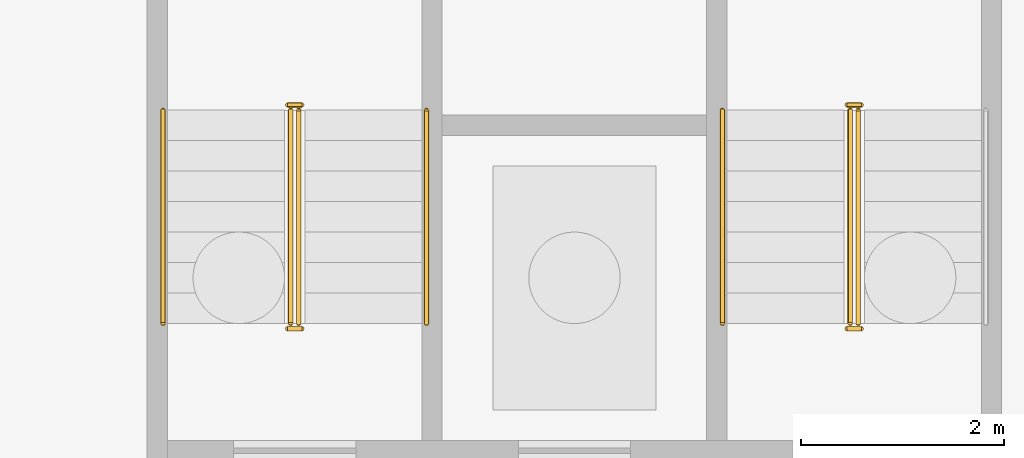
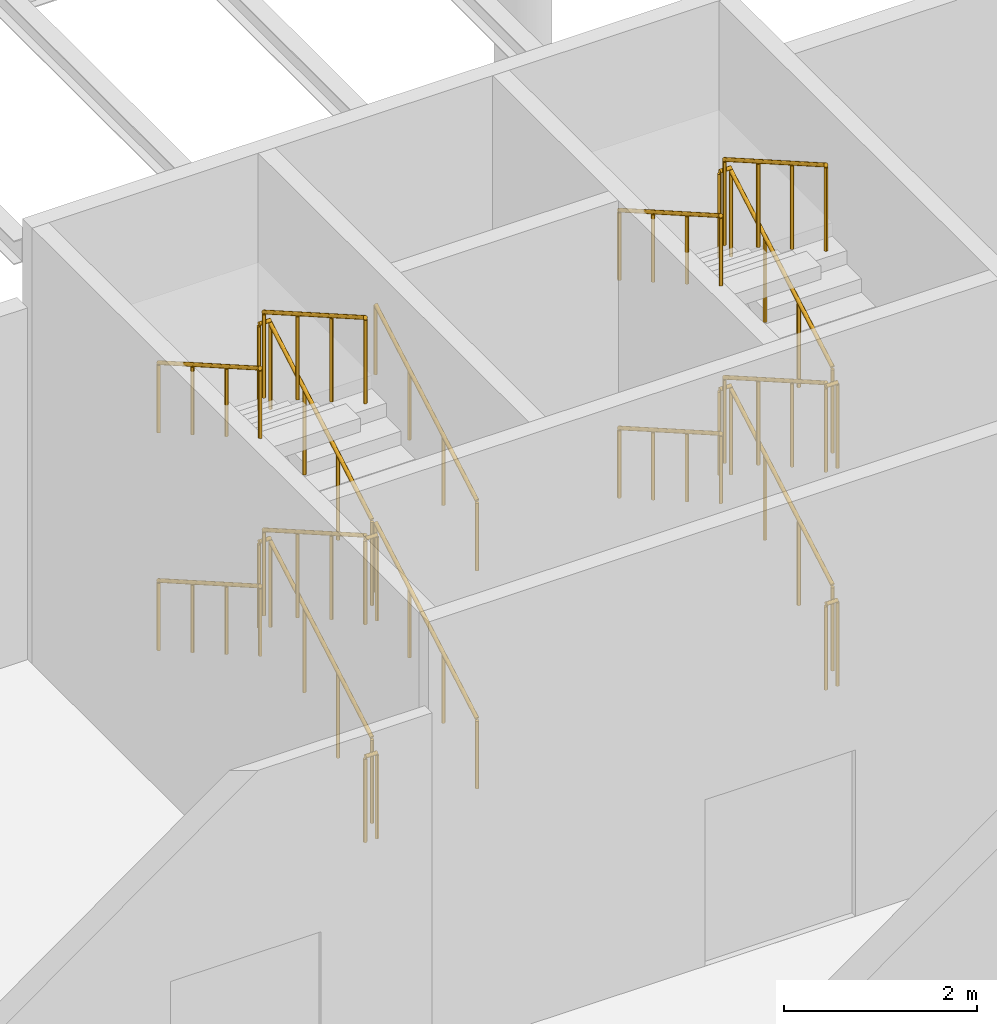
# One storey, part 57 of 82: 22 railings.
"""IFC4 building model written with IfcOpenShell, lengths in metres."""

from ifc_helpers import new_model, si_unit, direction, frame, origin, origin_2d, place, context, subcontext, project, spatial, circle, extrude, material, type_object, element, save


model = new_model("IFC4")

# Units and contexts
model_context = context("Model", 3, precision=1e-05, world=origin(), true_north=direction((0.0, 1.0)))
body_context = subcontext(model_context, "Body", "Model", "MODEL_VIEW")
ifc_project = project(units=[si_unit("LENGTHUNIT", "METRE"), si_unit("AREAUNIT", "SQUARE_METRE"), si_unit("VOLUMEUNIT", "CUBIC_METRE"), si_unit("PLANEANGLEUNIT", "RADIAN"), si_unit("MASSUNIT", "GRAM", prefix="KILO")], contexts=[model_context])

# Site, building, storey
site_placement = place(None, origin())
site = spatial("IfcSite", under=ifc_project, at=site_placement, CompositionType="ELEMENT")
building_placement = place(site_placement, origin())
building = spatial("IfcBuilding", under=site, at=building_placement, Name="Almond Square Museum", CompositionType="ELEMENT")
storey_placement = place(building_placement, origin())
storey = spatial("IfcBuildingStorey", under=building, at=storey_placement, Name="L00", CompositionType="ELEMENT", Elevation=0.0)

# Railings
ifc_material_1 = material(Name="Stainless steel and laminated glass", Category="steel")
railing_type_1 = type_object("IfcRailingType", Name="Stair guard 1100 steel and glass", PredefinedType="GUARDRAIL", material=ifc_material_1)
railing_1_placement = place(storey_placement, frame((57.889892578125, 12.14990234375, 0.171875)))
element("IfcRailing", 1, at=railing_1_placement, inside=storey, type_object=railing_type_1, Name="L00 ST-29 stair guard 1", PredefinedType="GUARDRAIL", context=body_context, shape_type="SweptSolid", body=[
    extrude(circle(Radius=0.02392578125, at=origin_2d()), frame((0.0, 0.0, 1.076171875), z_axis=(0.0, 0.867696358075, 0.497094588769), x_axis=(-1.0, 0.0, 0.0)), (0.0, 0.0, 1.0), 2.42041015625),
    extrude(circle(Radius=0.02099609375, at=origin_2d()), origin(), (0.0, 0.0, 1.0), 1.052001953125),
    extrude(circle(Radius=0.02099609375, at=origin_2d()), frame((0.0, 0.699951171875, 0.401123046875)), (0.0, 0.0, 1.0), 1.052001953125),
    extrude(circle(Radius=0.02099609375, at=origin_2d()), frame((0.0, 1.400146484375, 0.802001953125)), (0.0, 0.0, 1.0), 1.052001953125),
    extrude(circle(Radius=0.02099609375, at=origin_2d()), frame((0.0, 2.10009765625, 1.203125)), (0.0, 0.0, 1.0), 1.052001953125),
])
railing_2_placement = place(storey_placement, frame((57.919921875, 14.300048828125, 1.375)))
element("IfcRailing", 2, at=railing_2_placement, inside=storey, type_object=railing_type_1, Name="L00 ST-29 stair guard 2", PredefinedType="GUARDRAIL", context=body_context, shape_type="SweptSolid", body=[
    extrude(circle(Radius=0.02392578125, at=origin_2d()), frame((0.0, 0.0, 1.076171875), z_axis=(-1.0, 0.0, 0.0), x_axis=(0.0, -1.0, 0.0)), (0.0, 0.0, 1.0), 0.139892578125),
    extrude(circle(Radius=0.02099609375, at=origin_2d()), origin(), (0.0, 0.0, 1.0), 1.052001953125),
    extrude(circle(Radius=0.02099609375, at=origin_2d()), frame((-0.139892578125, 0.0, 0.0)), (0.0, 0.0, 1.0), 1.052001953125),
])
railing_3_placement = place(storey_placement, frame((57.81005859375, 14.25, 1.546875)))
element("IfcRailing", 3, at=railing_3_placement, inside=storey, type_object=railing_type_1, Name="L00 ST-29 stair guard 3", PredefinedType="GUARDRAIL", context=body_context, shape_type="SweptSolid", body=[
    extrude(circle(Radius=0.02392578125, at=origin_2d()), frame((0.0, 0.0, 1.076171875), z_axis=(0.0, -0.867696358075, 0.497094588769), x_axis=(1.0, 0.0, 0.0)), (0.0, 0.0, 1.0), 2.42041015625),
    extrude(circle(Radius=0.02099609375, at=origin_2d()), origin(), (0.0, 0.0, 1.0), 1.052001953125),
    extrude(circle(Radius=0.02099609375, at=origin_2d()), frame((0.0, -0.699951171875, 0.401123046875)), (0.0, 0.0, 1.0), 1.052001953125),
    extrude(circle(Radius=0.02099609375, at=origin_2d()), frame((0.0, -1.400146484375, 0.802001953125)), (0.0, 0.0, 1.0), 1.052001953125),
    extrude(circle(Radius=0.02099609375, at=origin_2d()), frame((0.0, -2.10009765625, 1.203125)), (0.0, 0.0, 1.0), 1.052001953125),
])
railing_4_placement = place(storey_placement, frame((57.919921875, 12.10009765625, 2.75)))
element("IfcRailing", 4, at=railing_4_placement, inside=storey, type_object=railing_type_1, Name="L00 ST-29 stair guard 4", PredefinedType="GUARDRAIL", context=body_context, shape_type="SweptSolid", body=[
    extrude(circle(Radius=0.02392578125, at=origin_2d()), frame((0.0, 0.0, 1.076171875), z_axis=(-1.0, 0.0, 0.0), x_axis=(0.0, -1.0, 0.0)), (0.0, 0.0, 1.0), 0.139892578125),
    extrude(circle(Radius=0.02099609375, at=origin_2d()), origin(), (0.0, 0.0, 1.0), 1.052001953125),
    extrude(circle(Radius=0.02099609375, at=origin_2d()), frame((-0.139892578125, 0.0, 0.0)), (0.0, 0.0, 1.0), 1.052001953125),
])
railing_5_placement = place(storey_placement, frame((57.889892578125, 12.14990234375, 2.921875)))
element("IfcRailing", 5, at=railing_5_placement, inside=storey, type_object=railing_type_1, Name="L00 ST-29 stair guard 5", PredefinedType="GUARDRAIL", context=body_context, shape_type="SweptSolid", body=[
    extrude(circle(Radius=0.02392578125, at=origin_2d()), frame((0.0, 0.0, 1.076171875), z_axis=(0.0, 0.867696358075, 0.497094588769), x_axis=(-1.0, 0.0, 0.0)), (0.0, 0.0, 1.0), 2.42041015625),
    extrude(circle(Radius=0.02099609375, at=origin_2d()), origin(), (0.0, 0.0, 1.0), 1.052001953125),
    extrude(circle(Radius=0.02099609375, at=origin_2d()), frame((0.0, 0.699951171875, 0.401123046875)), (0.0, 0.0, 1.0), 1.052001953125),
    extrude(circle(Radius=0.02099609375, at=origin_2d()), frame((0.0, 1.400146484375, 0.802001953125)), (0.0, 0.0, 1.0), 1.052001953125),
    extrude(circle(Radius=0.02099609375, at=origin_2d()), frame((0.0, 2.10009765625, 1.203125)), (0.0, 0.0, 1.0), 1.052001953125),
])
railing_6_placement = place(storey_placement, frame((57.919921875, 14.300048828125, 4.125)))
element("IfcRailing", 6, at=railing_6_placement, inside=storey, type_object=railing_type_1, Name="L00 ST-29 stair guard 6", PredefinedType="GUARDRAIL", context=body_context, shape_type="SweptSolid", body=[
    extrude(circle(Radius=0.02392578125, at=origin_2d()), frame((0.0, 0.0, 1.076171875), z_axis=(-1.0, 0.0, 0.0), x_axis=(0.0, -1.0, 0.0)), (0.0, 0.0, 1.0), 0.139892578125),
    extrude(circle(Radius=0.02099609375, at=origin_2d()), origin(), (0.0, 0.0, 1.0), 1.052001953125),
    extrude(circle(Radius=0.02099609375, at=origin_2d()), frame((-0.139892578125, 0.0, 0.0)), (0.0, 0.0, 1.0), 1.052001953125),
])
railing_7_placement = place(storey_placement, frame((57.81005859375, 14.25, 4.296875)))
element("IfcRailing", 7, at=railing_7_placement, inside=storey, type_object=railing_type_1, Name="L00 ST-29 stair guard 7", PredefinedType="GUARDRAIL", context=body_context, shape_type="SweptSolid", body=[
    extrude(circle(Radius=0.02392578125, at=origin_2d()), frame((0.0, 0.0, 1.076171875), z_axis=(0.0, -0.867696358075, 0.497094588769), x_axis=(1.0, 0.0, 0.0)), (0.0, 0.0, 1.0), 2.42041015625),
    extrude(circle(Radius=0.02099609375, at=origin_2d()), origin(), (0.0, 0.0, 1.0), 1.052001953125),
    extrude(circle(Radius=0.02099609375, at=origin_2d()), frame((0.0, -0.699951171875, 0.401123046875)), (0.0, 0.0, 1.0), 1.052001953125),
    extrude(circle(Radius=0.02099609375, at=origin_2d()), frame((0.0, -1.400146484375, 0.802001953125)), (0.0, 0.0, 1.0), 1.052001953125),
    extrude(circle(Radius=0.02099609375, at=origin_2d()), frame((0.0, -2.10009765625, 1.203125)), (0.0, 0.0, 1.0), 1.052001953125),
])
railing_8_placement = place(storey_placement, frame((57.919921875, 12.10009765625, 0.0)))
element("IfcRailing", 8, at=railing_8_placement, inside=storey, type_object=railing_type_1, Name="L00 ST-29 stair guard 8", PredefinedType="GUARDRAIL", context=body_context, shape_type="SweptSolid", body=[
    extrude(circle(Radius=0.02392578125, at=origin_2d()), frame((0.0, 0.0, 1.076171875), z_axis=(-1.0, 0.0, 0.0), x_axis=(0.0, -1.0, 0.0)), (0.0, 0.0, 1.0), 0.139892578125),
    extrude(circle(Radius=0.02099609375, at=origin_2d()), origin(), (0.0, 0.0, 1.0), 1.052001953125),
    extrude(circle(Radius=0.02099609375, at=origin_2d()), frame((-0.139892578125, 0.0, 0.0)), (0.0, 0.0, 1.0), 1.052001953125),
])
railing_9_placement = place(storey_placement, frame((63.389892578125, 12.14990234375, 0.171875)))
element("IfcRailing", 9, at=railing_9_placement, inside=storey, type_object=railing_type_1, Name="L00 ST-30 stair guard 1", PredefinedType="GUARDRAIL", context=body_context, shape_type="SweptSolid", body=[
    extrude(circle(Radius=0.02392578125, at=origin_2d()), frame((0.0, 0.0, 1.076171875), z_axis=(0.0, 0.867696358075, 0.497094588769), x_axis=(-1.0, 0.0, 0.0)), (0.0, 0.0, 1.0), 2.42041015625),
    extrude(circle(Radius=0.02099609375, at=origin_2d()), origin(), (0.0, 0.0, 1.0), 1.052001953125),
    extrude(circle(Radius=0.02099609375, at=origin_2d()), frame((0.0, 0.699951171875, 0.401123046875)), (0.0, 0.0, 1.0), 1.052001953125),
    extrude(circle(Radius=0.02099609375, at=origin_2d()), frame((0.0, 1.400146484375, 0.802001953125)), (0.0, 0.0, 1.0), 1.052001953125),
    extrude(circle(Radius=0.02099609375, at=origin_2d()), frame((0.0, 2.10009765625, 1.203125)), (0.0, 0.0, 1.0), 1.052001953125),
])
railing_10_placement = place(storey_placement, frame((63.419921875, 14.300048828125, 1.375)))
element("IfcRailing", 10, at=railing_10_placement, inside=storey, type_object=railing_type_1, Name="L00 ST-30 stair guard 2", PredefinedType="GUARDRAIL", context=body_context, shape_type="SweptSolid", body=[
    extrude(circle(Radius=0.02392578125, at=origin_2d()), frame((0.0, 0.0, 1.076171875), z_axis=(-1.0, 0.0, 0.0), x_axis=(0.0, -1.0, 0.0)), (0.0, 0.0, 1.0), 0.139892578125),
    extrude(circle(Radius=0.02099609375, at=origin_2d()), origin(), (0.0, 0.0, 1.0), 1.052001953125),
    extrude(circle(Radius=0.02099609375, at=origin_2d()), frame((-0.139892578125, 0.0, 0.0)), (0.0, 0.0, 1.0), 1.052001953125),
])
railing_11_placement = place(storey_placement, frame((63.31005859375, 14.25, 1.546875)))
element("IfcRailing", 11, at=railing_11_placement, inside=storey, type_object=railing_type_1, Name="L00 ST-30 stair guard 3", PredefinedType="GUARDRAIL", context=body_context, shape_type="SweptSolid", body=[
    extrude(circle(Radius=0.02392578125, at=origin_2d()), frame((0.0, 0.0, 1.076171875), z_axis=(0.0, -0.867696358075, 0.497094588769), x_axis=(1.0, 0.0, 0.0)), (0.0, 0.0, 1.0), 2.42041015625),
    extrude(circle(Radius=0.02099609375, at=origin_2d()), origin(), (0.0, 0.0, 1.0), 1.052001953125),
    extrude(circle(Radius=0.02099609375, at=origin_2d()), frame((0.0, -0.699951171875, 0.401123046875)), (0.0, 0.0, 1.0), 1.052001953125),
    extrude(circle(Radius=0.02099609375, at=origin_2d()), frame((0.0, -1.400146484375, 0.802001953125)), (0.0, 0.0, 1.0), 1.052001953125),
    extrude(circle(Radius=0.02099609375, at=origin_2d()), frame((0.0, -2.10009765625, 1.203125)), (0.0, 0.0, 1.0), 1.052001953125),
])
railing_12_placement = place(storey_placement, frame((63.419921875, 12.10009765625, 2.75)))
element("IfcRailing", 12, at=railing_12_placement, inside=storey, type_object=railing_type_1, Name="L00 ST-30 stair guard 4", PredefinedType="GUARDRAIL", context=body_context, shape_type="SweptSolid", body=[
    extrude(circle(Radius=0.02392578125, at=origin_2d()), frame((0.0, 0.0, 1.076171875), z_axis=(-1.0, 0.0, 0.0), x_axis=(0.0, -1.0, 0.0)), (0.0, 0.0, 1.0), 0.139892578125),
    extrude(circle(Radius=0.02099609375, at=origin_2d()), origin(), (0.0, 0.0, 1.0), 1.052001953125),
    extrude(circle(Radius=0.02099609375, at=origin_2d()), frame((-0.139892578125, 0.0, 0.0)), (0.0, 0.0, 1.0), 1.052001953125),
])
railing_13_placement = place(storey_placement, frame((63.389892578125, 12.14990234375, 2.921875)))
element("IfcRailing", 13, at=railing_13_placement, inside=storey, type_object=railing_type_1, Name="L00 ST-30 stair guard 5", PredefinedType="GUARDRAIL", context=body_context, shape_type="SweptSolid", body=[
    extrude(circle(Radius=0.02392578125, at=origin_2d()), frame((0.0, 0.0, 1.076171875), z_axis=(0.0, 0.867696358075, 0.497094588769), x_axis=(-1.0, 0.0, 0.0)), (0.0, 0.0, 1.0), 2.42041015625),
    extrude(circle(Radius=0.02099609375, at=origin_2d()), origin(), (0.0, 0.0, 1.0), 1.052001953125),
    extrude(circle(Radius=0.02099609375, at=origin_2d()), frame((0.0, 0.699951171875, 0.401123046875)), (0.0, 0.0, 1.0), 1.052001953125),
    extrude(circle(Radius=0.02099609375, at=origin_2d()), frame((0.0, 1.400146484375, 0.802001953125)), (0.0, 0.0, 1.0), 1.052001953125),
    extrude(circle(Radius=0.02099609375, at=origin_2d()), frame((0.0, 2.10009765625, 1.203125)), (0.0, 0.0, 1.0), 1.052001953125),
])
railing_14_placement = place(storey_placement, frame((63.419921875, 14.300048828125, 4.125)))
element("IfcRailing", 14, at=railing_14_placement, inside=storey, type_object=railing_type_1, Name="L00 ST-30 stair guard 6", PredefinedType="GUARDRAIL", context=body_context, shape_type="SweptSolid", body=[
    extrude(circle(Radius=0.02392578125, at=origin_2d()), frame((0.0, 0.0, 1.076171875), z_axis=(-1.0, 0.0, 0.0), x_axis=(0.0, -1.0, 0.0)), (0.0, 0.0, 1.0), 0.139892578125),
    extrude(circle(Radius=0.02099609375, at=origin_2d()), origin(), (0.0, 0.0, 1.0), 1.052001953125),
    extrude(circle(Radius=0.02099609375, at=origin_2d()), frame((-0.139892578125, 0.0, 0.0)), (0.0, 0.0, 1.0), 1.052001953125),
])
railing_15_placement = place(storey_placement, frame((63.31005859375, 14.25, 4.296875)))
element("IfcRailing", 15, at=railing_15_placement, inside=storey, type_object=railing_type_1, Name="L00 ST-30 stair guard 7", PredefinedType="GUARDRAIL", context=body_context, shape_type="SweptSolid", body=[
    extrude(circle(Radius=0.02392578125, at=origin_2d()), frame((0.0, 0.0, 1.076171875), z_axis=(0.0, -0.867696358075, 0.497094588769), x_axis=(1.0, 0.0, 0.0)), (0.0, 0.0, 1.0), 2.42041015625),
    extrude(circle(Radius=0.02099609375, at=origin_2d()), origin(), (0.0, 0.0, 1.0), 1.052001953125),
    extrude(circle(Radius=0.02099609375, at=origin_2d()), frame((0.0, -0.699951171875, 0.401123046875)), (0.0, 0.0, 1.0), 1.052001953125),
    extrude(circle(Radius=0.02099609375, at=origin_2d()), frame((0.0, -1.400146484375, 0.802001953125)), (0.0, 0.0, 1.0), 1.052001953125),
    extrude(circle(Radius=0.02099609375, at=origin_2d()), frame((0.0, -2.10009765625, 1.203125)), (0.0, 0.0, 1.0), 1.052001953125),
])
railing_16_placement = place(storey_placement, frame((63.419921875, 12.10009765625, 0.0)))
element("IfcRailing", 16, at=railing_16_placement, inside=storey, type_object=railing_type_1, Name="L00 ST-30 stair guard 8", PredefinedType="GUARDRAIL", context=body_context, shape_type="SweptSolid", body=[
    extrude(circle(Radius=0.02392578125, at=origin_2d()), frame((0.0, 0.0, 1.076171875), z_axis=(-1.0, 0.0, 0.0), x_axis=(0.0, -1.0, 0.0)), (0.0, 0.0, 1.0), 0.139892578125),
    extrude(circle(Radius=0.02099609375, at=origin_2d()), origin(), (0.0, 0.0, 1.0), 1.052001953125),
    extrude(circle(Radius=0.02099609375, at=origin_2d()), frame((-0.139892578125, 0.0, 0.0)), (0.0, 0.0, 1.0), 1.052001953125),
])
ifc_material_2 = material(Name="Stainless steel", Category="steel")
railing_type_2 = type_object("IfcRailingType", Name="Stair handrail 900 steel", PredefinedType="HANDRAIL", material=ifc_material_2)
railing_17_placement = place(storey_placement, frame((59.14501953125, 12.14990234375, 0.171875)))
element("IfcRailing", 17, at=railing_17_placement, inside=storey, type_object=railing_type_2, Name="L00 ST-29 stair handrail 1", PredefinedType="HANDRAIL", context=body_context, shape_type="SweptSolid", body=[
    extrude(circle(Radius=0.02392578125, at=origin_2d()), frame((0.0, 0.0, 0.8759765625), z_axis=(0.0, 0.867696358075, 0.497094588769), x_axis=(-1.0, 0.0, 0.0)), (0.0, 0.0, 1.0), 2.42041015625),
    extrude(circle(Radius=0.02099609375, at=origin_2d()), origin(), (0.0, 0.0, 1.0), 0.851806640625),
    extrude(circle(Radius=0.02099609375, at=origin_2d()), frame((0.0, 0.699951171875, 0.401123046875)), (0.0, 0.0, 1.0), 0.851806640625),
    extrude(circle(Radius=0.02099609375, at=origin_2d()), frame((0.0, 1.400146484375, 0.802001953125)), (0.0, 0.0, 1.0), 0.851806640625),
    extrude(circle(Radius=0.02099609375, at=origin_2d()), frame((0.0, 2.10009765625, 1.203125)), (0.0, 0.0, 1.0), 0.851806640625),
])
railing_18_placement = place(storey_placement, frame((56.554931640625, 14.25, 1.546875)))
element("IfcRailing", 18, at=railing_18_placement, inside=storey, type_object=railing_type_2, Name="L00 ST-29 stair handrail 2", PredefinedType="HANDRAIL", context=body_context, shape_type="SweptSolid", body=[
    extrude(circle(Radius=0.02392578125, at=origin_2d()), frame((0.0, 0.0, 0.8759765625), z_axis=(0.0, -0.867696358075, 0.497094588769), x_axis=(1.0, 0.0, 0.0)), (0.0, 0.0, 1.0), 2.42041015625),
    extrude(circle(Radius=0.02099609375, at=origin_2d()), origin(), (0.0, 0.0, 1.0), 0.851806640625),
    extrude(circle(Radius=0.02099609375, at=origin_2d()), frame((0.0, -0.699951171875, 0.401123046875)), (0.0, 0.0, 1.0), 0.851806640625),
    extrude(circle(Radius=0.02099609375, at=origin_2d()), frame((0.0, -1.400146484375, 0.802001953125)), (0.0, 0.0, 1.0), 0.851806640625),
    extrude(circle(Radius=0.02099609375, at=origin_2d()), frame((0.0, -2.10009765625, 1.203125)), (0.0, 0.0, 1.0), 0.851806640625),
])
railing_19_placement = place(storey_placement, frame((59.14501953125, 12.14990234375, 2.921875)))
element("IfcRailing", 19, at=railing_19_placement, inside=storey, type_object=railing_type_2, Name="L00 ST-29 stair handrail 3", PredefinedType="HANDRAIL", context=body_context, shape_type="SweptSolid", body=[
    extrude(circle(Radius=0.02392578125, at=origin_2d()), frame((0.0, 0.0, 0.8759765625), z_axis=(0.0, 0.867696358075, 0.497094588769), x_axis=(-1.0, 0.0, 0.0)), (0.0, 0.0, 1.0), 2.42041015625),
    extrude(circle(Radius=0.02099609375, at=origin_2d()), origin(), (0.0, 0.0, 1.0), 0.851806640625),
    extrude(circle(Radius=0.02099609375, at=origin_2d()), frame((0.0, 0.699951171875, 0.401123046875)), (0.0, 0.0, 1.0), 0.851806640625),
    extrude(circle(Radius=0.02099609375, at=origin_2d()), frame((0.0, 1.400146484375, 0.802001953125)), (0.0, 0.0, 1.0), 0.851806640625),
    extrude(circle(Radius=0.02099609375, at=origin_2d()), frame((0.0, 2.10009765625, 1.203125)), (0.0, 0.0, 1.0), 0.851806640625),
])
for number, where, name in (
    (20, (56.554931640625, 14.25, 4.296875), "L00 ST-29 stair handrail 4"),
    (21, (62.054931640625, 14.25, 1.546875), "L00 ST-30 stair handrail 2"),
    (22, (62.054931640625, 14.25, 4.296875), "L00 ST-30 stair handrail 4"),
):
    element("IfcRailing", number, at=place(storey_placement, frame(where)), inside=storey, type_object=railing_type_2, Name=name, PredefinedType="HANDRAIL", context=body_context, shape_type="SweptSolid", body=[
        extrude(circle(Radius=0.02392578125, at=origin_2d()), frame((0.0, 0.0, 0.8759765625), z_axis=(0.0, -0.867696358075, 0.497094588769), x_axis=(1.0, 0.0, 0.0)), (0.0, 0.0, 1.0), 2.42041015625),
        extrude(circle(Radius=0.02099609375, at=origin_2d()), origin(), (0.0, 0.0, 1.0), 0.851806640625),
        extrude(circle(Radius=0.02099609375, at=origin_2d()), frame((0.0, -0.699951171875, 0.401123046875)), (0.0, 0.0, 1.0), 0.851806640625),
        extrude(circle(Radius=0.02099609375, at=origin_2d()), frame((0.0, -1.400146484375, 0.802001953125)), (0.0, 0.0, 1.0), 0.851806640625),
        extrude(circle(Radius=0.02099609375, at=origin_2d()), frame((0.0, -2.10009765625, 1.203125)), (0.0, 0.0, 1.0), 0.851806640625),
    ])

save(model, "model.ifc")
